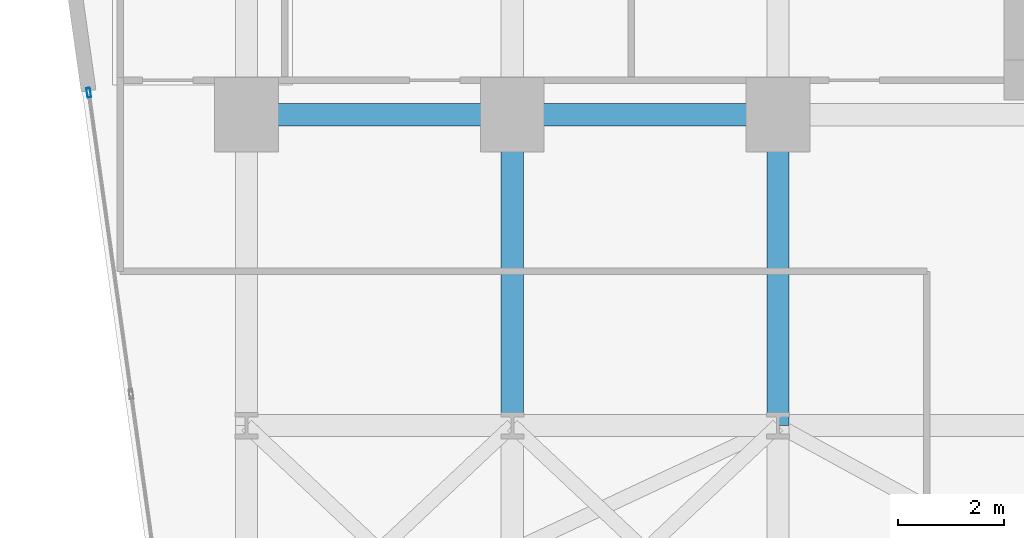
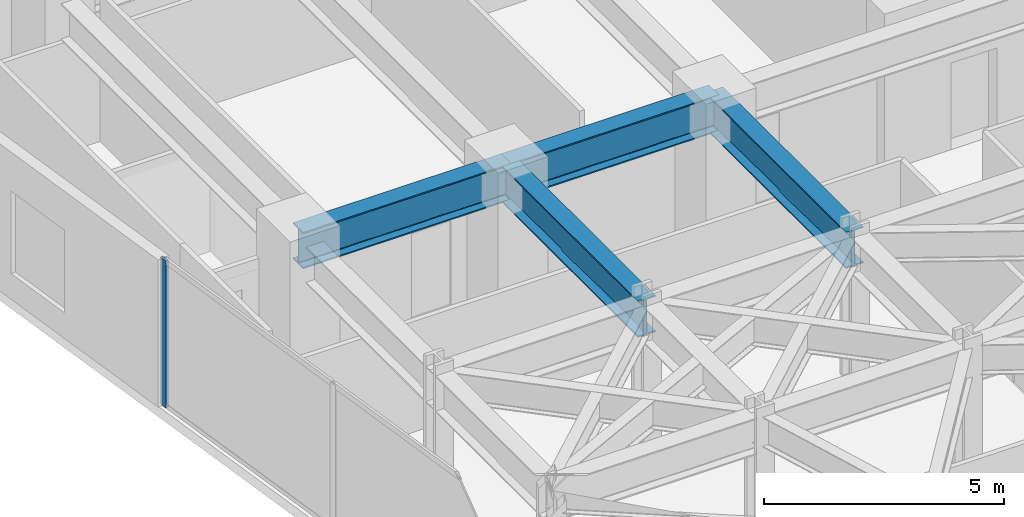
# One storey, part 17 of 25: 4 beams, 1 member, 1 element without a shape of its own.
"""IFC4 building model written with IfcOpenShell, lengths in metres."""

from ifc_helpers import new_model, si_unit, direction, frame, origin, origin_2d, place, context, subcontext, project, spatial, hollow_rectangle, i_section, extrude, material, layer, layer_set, material_profile, profile_set, type_object, element, aggregate, save


model = new_model("IFC4")

# Units and contexts
model_context = context("Model", 3, precision=1e-05, world=origin(), true_north=direction((0.0, 1.0)))
body_context = subcontext(model_context, "Body", "Model", "MODEL_VIEW")
ifc_project = project(units=[si_unit("LENGTHUNIT", "METRE"), si_unit("AREAUNIT", "SQUARE_METRE"), si_unit("VOLUMEUNIT", "CUBIC_METRE"), si_unit("PLANEANGLEUNIT", "RADIAN"), si_unit("MASSUNIT", "GRAM", prefix="KILO")], contexts=[model_context])

# Site, building, storey
site_placement = place(None, origin())
site = spatial("IfcSite", under=ifc_project, at=site_placement, CompositionType="ELEMENT")
building_placement = place(site_placement, origin())
building = spatial("IfcBuilding", under=site, at=building_placement, Name="Kravanh Interchange Tower", CompositionType="ELEMENT")
storey_placement = place(building_placement, frame((0.0, 0.0, 73.5)))
storey = spatial("IfcBuildingStorey", under=building, at=storey_placement, Name="L17", CompositionType="ELEMENT", Elevation=73.5)

# Curtain wall, member
ifc_material_1 = material(Name="Anodised Bronze Aluminium", Category="aluminium")
ifc_layer = layer(ifc_material_1, 0.179931640625)
ifc_layer_set = layer_set([ifc_layer], Name="Unitised Curtain Wall System CW-Z1 Lower Office")
curtain_wall_type = type_object("IfcCurtainWallType", Name="Unitised Curtain Wall System CW-Z1 Lower Office", PredefinedType="NOTDEFINED", material=ifc_layer_set)
curtain_wall_placement = place(storey_placement, origin())
curtain_wall = element("IfcCurtainWall", 1, at=curtain_wall_placement, inside=storey, type_object=curtain_wall_type, Name="L17 Unitised Curtain Wall CW-L17-01", PredefinedType="NOTDEFINED")
ifc_material_2 = material(Name="Anodised Bronze Aluminium", Category="aluminium")
ifc_material_profile_1 = material_profile(ifc_material_2, hollow_rectangle(XDim=0.070068359375, YDim=0.179931640625, WallThickness=0.00390625, at=origin_2d()), Name="ALU70X180X4")
ifc_profile_set_1 = profile_set([ifc_material_profile_1], Name="Anodised Bronze Aluminium")
member_type = type_object("IfcMemberType", Name="Curtain Wall Mullion ALU70X180X4 Bronze", PredefinedType="MULLION", material=ifc_profile_set_1)
member_placement = place(storey_placement, frame((5.6298828125, 37.765380859375, 0.0), z_axis=(0.0, 0.0, 1.0), x_axis=(-0.990267585682, -0.139176538065, 0.0)))
member = element("IfcMember", 2, at=member_placement, type_object=member_type, Name="CW-Z1 mullion 7", PredefinedType="MULLION", context=body_context, shape_type="SweptSolid", body=[
    extrude(hollow_rectangle(XDim=0.070068359375, YDim=0.179931640625, WallThickness=0.00390625, at=origin_2d()), origin(), (0.0, 0.0, 1.0), 3.739990234375),
])
aggregate(curtain_wall, [member])

# Beams
ifc_material_3 = material(Name="Structural Steel S355", Category="steel")
ifc_material_profile_2 = material_profile(ifc_material_3, i_section(OverallWidth=0.41796875, OverallDepth=0.927001953125, WebThickness=0.019287109375, FlangeThickness=0.031982421875, FilletRadius=0.028076171875, at=origin_2d()), Name="W36X231")
ifc_profile_set_2 = profile_set([ifc_material_profile_2], Name="Structural Steel S355")
beam_type = type_object("IfcBeamType", Name="Floor Beam W36X231 Structural Steel S355", PredefinedType="BEAM", material=ifc_profile_set_2)
beam_1_placement = place(storey_placement, frame((18.60009765625, 37.35009765625, 3.276611328125), z_axis=(-1.0, 0.0, 0.0), x_axis=(0.0, -1.0, 0.0)))
element("IfcBeam", 3, at=beam_1_placement, inside=storey, type_object=beam_type, Name="L17 Primary Floor Girder 28", PredefinedType="BEAM", context=body_context, shape_type="SweptSolid", body=[
    extrude(i_section(OverallWidth=0.41796875, OverallDepth=0.927001953125, WebThickness=0.019287109375, FlangeThickness=0.031982421875, FilletRadius=0.028076171875, at=origin_2d()), origin(), (0.0, 0.0, 1.0), 5.0),
])
beam_2_placement = place(storey_placement, frame((18.60009765625, 37.35009765625, 3.276611328125), z_axis=(0.0, -1.0, 0.0), x_axis=(1.0, 0.0, 0.0)))
element("IfcBeam", 4, at=beam_2_placement, inside=storey, type_object=beam_type, Name="L17 Primary Floor Girder 29", PredefinedType="BEAM", context=body_context, shape_type="SweptSolid", body=[
    extrude(i_section(OverallWidth=0.41796875, OverallDepth=0.927001953125, WebThickness=0.019287109375, FlangeThickness=0.031982421875, FilletRadius=0.028076171875, at=origin_2d()), origin(), (0.0, 0.0, 1.0), 5.85009765625),
])
beam_3_placement = place(storey_placement, frame((13.60009765625, 37.35009765625, 3.276611328125), z_axis=(-1.0, 0.0, 0.0), x_axis=(0.0, -1.0, 0.0)))
element("IfcBeam", 5, at=beam_3_placement, inside=storey, type_object=beam_type, Name="L17 Primary Floor Girder 32", PredefinedType="BEAM", context=body_context, shape_type="SweptSolid", body=[
    extrude(i_section(OverallWidth=0.41796875, OverallDepth=0.927001953125, WebThickness=0.019287109375, FlangeThickness=0.031982421875, FilletRadius=0.028076171875, at=origin_2d()), origin(), (0.0, 0.0, 1.0), 5.0),
])
beam_4_placement = place(storey_placement, frame((13.60009765625, 37.35009765625, 3.276611328125), z_axis=(0.0, -1.0, 0.0), x_axis=(1.0, 0.0, 0.0)))
element("IfcBeam", 6, at=beam_4_placement, inside=storey, type_object=beam_type, Name="L17 Primary Floor Girder 33", PredefinedType="BEAM", context=body_context, shape_type="SweptSolid", body=[
    extrude(i_section(OverallWidth=0.41796875, OverallDepth=0.927001953125, WebThickness=0.019287109375, FlangeThickness=0.031982421875, FilletRadius=0.028076171875, at=origin_2d()), origin(), (0.0, 0.0, 1.0), 5.85009765625),
])

save(model, "model.ifc")
